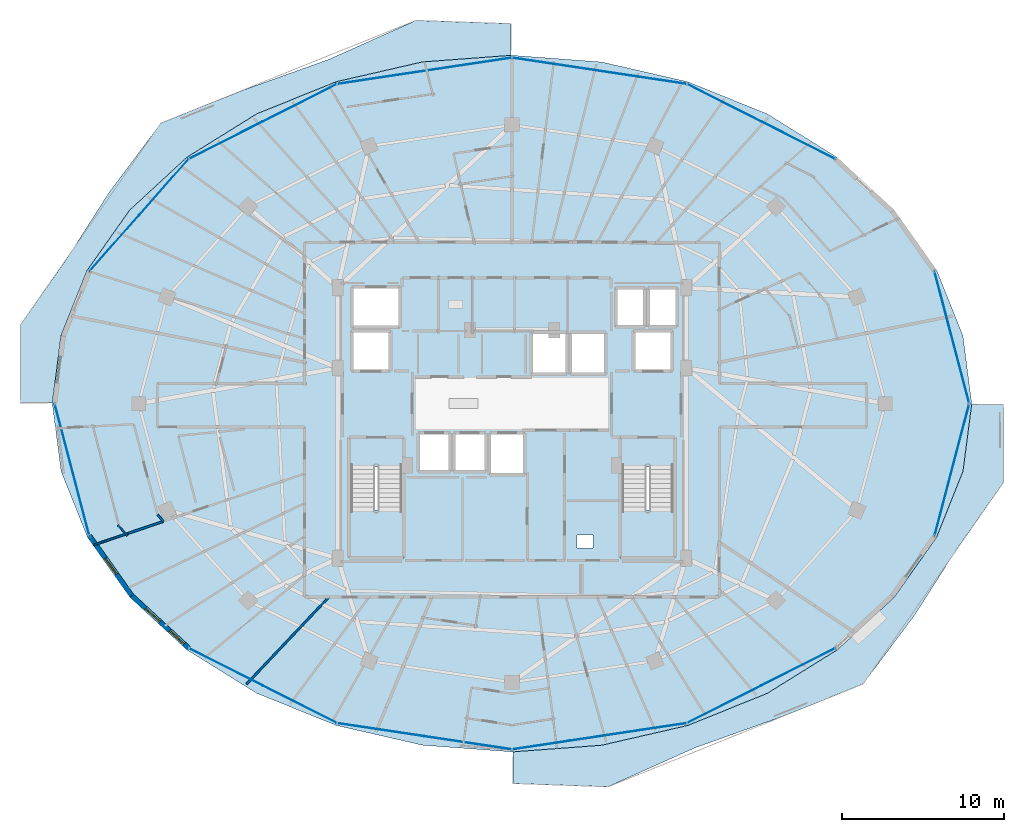
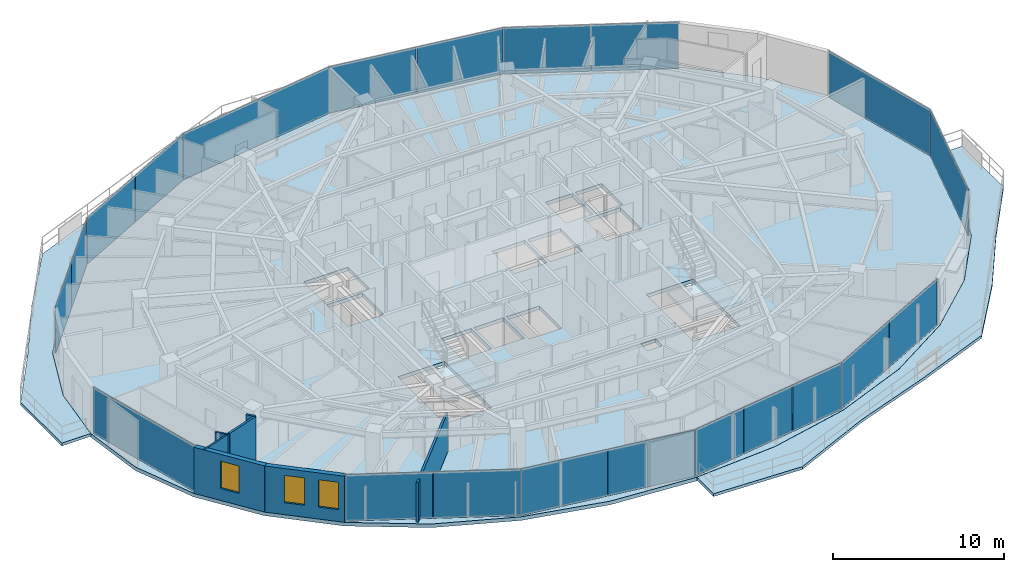
# One storey, part 23 of 34: 21 plates, 7 walls, 5 slabs, 3 windows, 3 openings, 6 elements without a shape of their own.
"""IFC4 building model written with IfcOpenShell, lengths in metres."""

from ifc_helpers import new_model, si_unit, direction, frame, frame_2d, origin, origin_2d, place, context, subcontext, project, spatial, polyline, rectangle, outline, extrude, material, layer, layer_set, type_object, element, fill, aggregate, save


model = new_model("IFC4")

# Units and contexts
model_context = context("Model", 3, precision=1e-05, world=origin(), true_north=direction((0.0, 1.0)))
body_context = subcontext(model_context, "Body", "Model", "MODEL_VIEW")
ifc_project = project(units=[si_unit("LENGTHUNIT", "METRE"), si_unit("AREAUNIT", "SQUARE_METRE"), si_unit("VOLUMEUNIT", "CUBIC_METRE"), si_unit("PLANEANGLEUNIT", "RADIAN"), si_unit("MASSUNIT", "GRAM", prefix="KILO")], contexts=[model_context])

# Site, building, storey
site_placement = place(None, origin())
site = spatial("IfcSite", under=ifc_project, at=site_placement, CompositionType="ELEMENT")
building_placement = place(site_placement, origin())
building = spatial("IfcBuilding", under=site, at=building_placement, Name="Vorneva Point Tower", CompositionType="ELEMENT")
storey_placement = place(building_placement, frame((0.0, 0.0, 214.300048828125)))
storey = spatial("IfcBuildingStorey", under=building, at=storey_placement, Name="L58", CompositionType="ELEMENT", Elevation=214.300048828125)

# Curtain wall, plates
ifc_material_1 = material(Name="Pale anodised aluminium", Category="aluminium")
curtain_wall_type = type_object("IfcCurtainWallType", Name="CW-RES-SYS", PredefinedType="NOTDEFINED", material=ifc_material_1)
curtain_wall_1_placement = place(storey_placement, origin())
curtain_wall_1 = element("IfcCurtainWall", 1, at=curtain_wall_1_placement, inside=storey, type_object=curtain_wall_type, Name="L58 Unitised Curtain Wall CW-L58-R01", PredefinedType="NOTDEFINED")
ifc_material_2 = material(Name="Double low-e laminated glass IGU", Category="glass")
ifc_layer_1 = layer(ifc_material_2, 0.035888671875)
ifc_layer_set_1 = layer_set([ifc_layer_1], Name="Double low-e laminated glass IGU")
plate_type = type_object("IfcPlateType", Name="CW-PNL-VIS", PredefinedType="CURTAIN_PANEL", material=ifc_layer_set_1)
plate_1_placement = place(storey_placement, frame((65.155517578125, 21.914794921875, -0.02001953125), z_axis=(0.0, 0.0, 1.0), x_axis=(0.254365646708, 0.967108121036, 0.0)))
plate_1 = element("IfcPlate", 2, at=plate_1_placement, type_object=plate_type, Name="CW-L58-R01 Glazed Panel 01", PredefinedType="CURTAIN_PANEL", context=body_context, shape_type="SweptSolid", body=[
    extrude(rectangle(XDim=8.398193359375, YDim=0.035888671875, at=origin_2d()), origin(), (0.0, 0.0, 1.0), 3.330078125),
])
plate_2_placement = place(storey_placement, frame((65.155517578125, 30.085205078125, -0.02001953125), z_axis=(0.0, 0.0, 1.0), x_axis=(-0.254365646708, 0.967108121036, 0.0)))
plate_2 = element("IfcPlate", 3, at=plate_2_placement, type_object=plate_type, Name="CW-L58-R01 Glazed Panel 02", PredefinedType="CURTAIN_PANEL", context=body_context, shape_type="SweptSolid", body=[
    extrude(rectangle(XDim=8.398193359375, YDim=0.035888671875, at=origin_2d()), origin(), (0.0, 0.0, 1.0), 3.330078125),
])
aggregate(curtain_wall_1, [plate_1, plate_2])

curtain_wall_2_placement = place(storey_placement, origin())
curtain_wall_2 = element("IfcCurtainWall", 4, at=curtain_wall_2_placement, inside=storey, type_object=curtain_wall_type, Name="L58 Unitised Curtain Wall CW-L58-R02", PredefinedType="NOTDEFINED")
plate_3_placement = place(storey_placement, frame((55.672119140625, 42.253662109375, -0.02001953125), z_axis=(0.0, 0.0, 1.0), x_axis=(-0.892514983762, 0.451017742179, 0.0)))
plate_3 = element("IfcPlate", 5, at=plate_3_placement, type_object=plate_type, Name="CW-L58-R02 Glazed Panel 01A", PredefinedType="CURTAIN_PANEL", context=body_context, shape_type="SweptSolid", body=[
    extrude(rectangle(XDim=5.080810546875, YDim=0.035888671875, at=origin_2d()), origin(), (0.0, 0.0, 1.0), 3.330078125),
])
plate_4_placement = place(storey_placement, frame((51.0927734375, 44.56787109375, -0.02001953125), z_axis=(0.0, 0.0, 1.0), x_axis=(-0.892514983762, 0.451017742179, 0.0)))
plate_4 = element("IfcPlate", 6, at=plate_4_placement, type_object=plate_type, Name="CW-L58-R02 Glazed Panel 01B", PredefinedType="CURTAIN_PANEL", context=body_context, shape_type="SweptSolid", body=[
    extrude(rectangle(XDim=5.080810546875, YDim=0.035888671875, at=origin_2d()), origin(), (0.0, 0.0, 1.0), 3.330078125),
])
plate_5_placement = place(storey_placement, frame((46.102294921875, 46.131103515625, -0.02001953125), z_axis=(0.0, 0.0, 1.0), x_axis=(-0.988873520862, 0.148758729957, 0.0)))
plate_5 = element("IfcPlate", 7, at=plate_5_placement, type_object=plate_type, Name="CW-L58-R02 Glazed Panel 02A", PredefinedType="CURTAIN_PANEL", context=body_context, shape_type="SweptSolid", body=[
    extrude(rectangle(XDim=5.412353515625, YDim=0.035888671875, at=origin_2d()), origin(), (0.0, 0.0, 1.0), 3.330078125),
])
plate_6_placement = place(storey_placement, frame((40.70068359375, 46.943603515625, -0.02001953125), z_axis=(0.0, 0.0, 1.0), x_axis=(-0.988873520862, 0.148758729957, 0.0)))
plate_6 = element("IfcPlate", 8, at=plate_6_placement, type_object=plate_type, Name="CW-L58-R02 Glazed Panel 02B", PredefinedType="CURTAIN_PANEL", context=body_context, shape_type="SweptSolid", body=[
    extrude(rectangle(XDim=5.412353515625, YDim=0.035888671875, at=origin_2d()), origin(), (0.0, 0.0, 1.0), 3.330078125),
])
plate_7_placement = place(storey_placement, frame((32.598388671875, 46.537353515625, -0.02001953125), z_axis=(0.0, 0.0, 1.0), x_axis=(-0.988873520862, -0.148758729957, 0.0)))
plate_7 = element("IfcPlate", 9, at=plate_7_placement, type_object=plate_type, Name="CW-L58-R02 Glazed Panel 03", PredefinedType="CURTAIN_PANEL", context=body_context, shape_type="SweptSolid", body=[
    extrude(rectangle(XDim=10.874755859375, YDim=0.035888671875, at=origin_2d()), origin(), (0.0, 0.0, 1.0), 3.330078125),
])
plate_8_placement = place(storey_placement, frame((24.9072265625, 44.56787109375, -0.02001953125), z_axis=(0.0, 0.0, 1.0), x_axis=(-0.892514983762, -0.451017742179, 0.0)))
plate_8 = element("IfcPlate", 10, at=plate_8_placement, type_object=plate_type, Name="CW-L58-R02 Glazed Panel 04A", PredefinedType="CURTAIN_PANEL", context=body_context, shape_type="SweptSolid", body=[
    extrude(rectangle(XDim=5.080810546875, YDim=0.035888671875, at=origin_2d()), origin(), (0.0, 0.0, 1.0), 3.330078125),
])
plate_9_placement = place(storey_placement, frame((20.327880859375, 42.253662109375, -0.02001953125), z_axis=(0.0, 0.0, 1.0), x_axis=(-0.892514983762, -0.451017742179, 0.0)))
plate_9 = element("IfcPlate", 11, at=plate_9_placement, type_object=plate_type, Name="CW-L58-R02 Glazed Panel 04B", PredefinedType="CURTAIN_PANEL", context=body_context, shape_type="SweptSolid", body=[
    extrude(rectangle(XDim=5.080810546875, YDim=0.035888671875, at=origin_2d()), origin(), (0.0, 0.0, 1.0), 3.330078125),
])
plate_10_placement = place(storey_placement, frame((16.508544921875, 39.364990234375, -0.02001953125), z_axis=(0.0, 0.0, 1.0), x_axis=(-0.662110096764, -0.74940657841, 0.0)))
plate_10 = element("IfcPlate", 12, at=plate_10_placement, type_object=plate_type, Name="CW-L58-R02 Glazed Panel 05A", PredefinedType="CURTAIN_PANEL", context=body_context, shape_type="SweptSolid", body=[
    extrude(rectangle(XDim=4.5712890625, YDim=0.035888671875, at=origin_2d()), origin(), (0.0, 0.0, 1.0), 3.330078125),
])
plate_11_placement = place(storey_placement, frame((13.44873046875, 35.90185546875, -0.02001953125), z_axis=(0.0, 0.0, 1.0), x_axis=(-0.662110096764, -0.74940657841, 0.0)))
plate_11 = element("IfcPlate", 13, at=plate_11_placement, type_object=plate_type, Name="CW-L58-R02 Glazed Panel 05B", PredefinedType="CURTAIN_PANEL", context=body_context, shape_type="SweptSolid", body=[
    extrude(rectangle(XDim=4.5712890625, YDim=0.035888671875, at=origin_2d()), origin(), (0.0, 0.0, 1.0), 3.330078125),
])
aggregate(curtain_wall_2, [plate_3, plate_4, plate_5, plate_6, plate_7, plate_8, plate_9, plate_10, plate_11])

# Curtain wall, plate
curtain_wall_3_placement = place(storey_placement, origin())
curtain_wall_3 = element("IfcCurtainWall", 14, at=curtain_wall_3_placement, inside=storey, type_object=curtain_wall_type, Name="L58 Unitised Curtain Wall CW-L58-R03", PredefinedType="NOTDEFINED")
plate_12_placement = place(storey_placement, frame((10.844482421875, 21.914794921875, -0.02001953125), z_axis=(0.0, 0.0, 1.0), x_axis=(0.254365646708, -0.967108121036, 0.0)))
plate_12 = element("IfcPlate", 15, at=plate_12_placement, type_object=plate_type, Name="CW-L58-R03 Glazed Panel 01", PredefinedType="CURTAIN_PANEL", context=body_context, shape_type="SweptSolid", body=[
    extrude(rectangle(XDim=8.398193359375, YDim=0.035888671875, at=origin_2d()), origin(), (0.0, 0.0, 1.0), 3.330078125),
])
aggregate(curtain_wall_3, [plate_12])

# Curtain wall, plates
curtain_wall_4_placement = place(storey_placement, origin())
curtain_wall_4 = element("IfcCurtainWall", 16, at=curtain_wall_4_placement, inside=storey, type_object=curtain_wall_type, Name="L58 Unitised Curtain Wall CW-L58-R04", PredefinedType="NOTDEFINED")
plate_13_placement = place(storey_placement, frame((20.327880859375, 9.746337890625, -0.02001953125), z_axis=(0.0, 0.0, 1.0), x_axis=(0.892514983762, -0.451017742179, 0.0)))
plate_13 = element("IfcPlate", 17, at=plate_13_placement, type_object=plate_type, Name="CW-L58-R04 Glazed Panel 01A", PredefinedType="CURTAIN_PANEL", context=body_context, shape_type="SweptSolid", body=[
    extrude(rectangle(XDim=5.080810546875, YDim=0.035888671875, at=origin_2d()), origin(), (0.0, 0.0, 1.0), 3.330078125),
])
plate_14_placement = place(storey_placement, frame((24.9072265625, 7.43212890625, -0.02001953125), z_axis=(0.0, 0.0, 1.0), x_axis=(0.892514983762, -0.451017742179, 0.0)))
plate_14 = element("IfcPlate", 18, at=plate_14_placement, type_object=plate_type, Name="CW-L58-R04 Glazed Panel 01B", PredefinedType="CURTAIN_PANEL", context=body_context, shape_type="SweptSolid", body=[
    extrude(rectangle(XDim=5.080810546875, YDim=0.035888671875, at=origin_2d()), origin(), (0.0, 0.0, 1.0), 3.330078125),
])
plate_15_placement = place(storey_placement, frame((29.897705078125, 5.868896484375, -0.02001953125), z_axis=(0.0, 0.0, 1.0), x_axis=(0.988873520862, -0.148758729957, 0.0)))
plate_15 = element("IfcPlate", 19, at=plate_15_placement, type_object=plate_type, Name="CW-L58-R04 Glazed Panel 02A", PredefinedType="CURTAIN_PANEL", context=body_context, shape_type="SweptSolid", body=[
    extrude(rectangle(XDim=5.412353515625, YDim=0.035888671875, at=origin_2d()), origin(), (0.0, 0.0, 1.0), 3.330078125),
])
plate_16_placement = place(storey_placement, frame((35.29931640625, 5.056396484375, -0.02001953125), z_axis=(0.0, 0.0, 1.0), x_axis=(0.988873520862, -0.148758729957, 0.0)))
plate_16 = element("IfcPlate", 20, at=plate_16_placement, type_object=plate_type, Name="CW-L58-R04 Glazed Panel 02B", PredefinedType="CURTAIN_PANEL", context=body_context, shape_type="SweptSolid", body=[
    extrude(rectangle(XDim=5.412353515625, YDim=0.035888671875, at=origin_2d()), origin(), (0.0, 0.0, 1.0), 3.330078125),
])
plate_17_placement = place(storey_placement, frame((39.800537109375, 4.9208984375, -0.02001953125), z_axis=(0.0, 0.0, 1.0), x_axis=(0.988873520862, 0.148758729957, 0.0)))
plate_17 = element("IfcPlate", 21, at=plate_17_placement, type_object=plate_type, Name="CW-L58-R04 Glazed Panel 03A", PredefinedType="CURTAIN_PANEL", context=body_context, shape_type="SweptSolid", body=[
    extrude(rectangle(XDim=3.591552734375, YDim=0.035888671875, at=origin_2d()), origin(), (0.0, 0.0, 1.0), 3.330078125),
])
plate_18_placement = place(storey_placement, frame((43.401611328125, 5.462646484375, -0.02001953125), z_axis=(0.0, 0.0, 1.0), x_axis=(0.988873520862, 0.148758729957, 0.0)))
plate_18 = element("IfcPlate", 22, at=plate_18_placement, type_object=plate_type, Name="CW-L58-R04 Glazed Panel 03B", PredefinedType="CURTAIN_PANEL", context=body_context, shape_type="SweptSolid", body=[
    extrude(rectangle(XDim=3.591552734375, YDim=0.035888671875, at=origin_2d()), origin(), (0.0, 0.0, 1.0), 3.330078125),
])
plate_19_placement = place(storey_placement, frame((47.002685546875, 6.00439453125, -0.02001953125), z_axis=(0.0, 0.0, 1.0), x_axis=(0.988873520862, 0.148758729957, 0.0)))
plate_19 = element("IfcPlate", 23, at=plate_19_placement, type_object=plate_type, Name="CW-L58-R04 Glazed Panel 03C", PredefinedType="CURTAIN_PANEL", context=body_context, shape_type="SweptSolid", body=[
    extrude(rectangle(XDim=3.591552734375, YDim=0.035888671875, at=origin_2d()), origin(), (0.0, 0.0, 1.0), 3.330078125),
])
plate_20_placement = place(storey_placement, frame((51.0927734375, 7.43212890625, -0.02001953125), z_axis=(0.0, 0.0, 1.0), x_axis=(0.892514983762, 0.451017742179, 0.0)))
plate_20 = element("IfcPlate", 24, at=plate_20_placement, type_object=plate_type, Name="CW-L58-R04 Glazed Panel 04A", PredefinedType="CURTAIN_PANEL", context=body_context, shape_type="SweptSolid", body=[
    extrude(rectangle(XDim=5.080810546875, YDim=0.035888671875, at=origin_2d()), origin(), (0.0, 0.0, 1.0), 3.330078125),
])
plate_21_placement = place(storey_placement, frame((55.672119140625, 9.746337890625, -0.02001953125), z_axis=(0.0, 0.0, 1.0), x_axis=(0.892514983762, 0.451017742179, 0.0)))
plate_21 = element("IfcPlate", 25, at=plate_21_placement, type_object=plate_type, Name="CW-L58-R04 Glazed Panel 04B", PredefinedType="CURTAIN_PANEL", context=body_context, shape_type="SweptSolid", body=[
    extrude(rectangle(XDim=5.080810546875, YDim=0.035888671875, at=origin_2d()), origin(), (0.0, 0.0, 1.0), 3.330078125),
])
aggregate(curtain_wall_4, [plate_13, plate_14, plate_15, plate_16, plate_17, plate_18, plate_19, plate_20, plate_21])

# Slabs
ifc_material_3 = material(Name="Concrete B50 (C40/50)", Category="concrete")
ifc_layer_2 = layer(ifc_material_3, 0.199951171875)
ifc_layer_set_2 = layer_set([ifc_layer_2], Name="Concrete B50 (C40/50)")
slab_type_1 = type_object("IfcSlabType", Name="SLB-BAL-200", PredefinedType="FLOOR", material=ifc_layer_set_2)
slab_1_placement = place(storey_placement, frame((0.0, 0.0, -0.199951171875)))
element("IfcSlab", 26, at=slab_1_placement, inside=storey, type_object=slab_type_1, Name="L58 Cantilevered Wave Balcony NW", PredefinedType="FLOOR", context=body_context, shape_type="SweptSolid", body=[
    extrude(outline(polyline([(7.669921875, 26.050048828125), (9.62255859375, 26.050048828125), (10.161376953125, 30.19482421875), (10.161376953125, 30.1953125), (10.16162109375, 30.195556640625), (10.16162109375, 30.19580078125), (11.776611328125, 34.229248046875), (11.77685546875, 34.2294921875), (11.777099609375, 34.22998046875), (14.399658203125, 37.947021484375), (14.39990234375, 37.947509765625), (14.400146484375, 37.94775390625), (17.9296875, 41.205810546875), (17.929931640625, 41.2060546875), (17.93017578125, 41.206298828125), (22.230712890625, 43.8798828125), (22.231201171875, 43.880126953125), (22.2314453125, 43.88037109375), (27.137939453125, 45.8671875), (27.13818359375, 45.8671875), (27.138427734375, 45.8671875), (32.46240234375, 47.0908203125), (32.462646484375, 47.0908203125), (32.462890625, 47.0908203125), (37.949951171875, 47.500244140625), (37.949951171875, 49.45166015625), (32.076416015625, 49.654541015625), (26.703857421875, 47.251708984375), (21.47314453125, 45.37744140625), (16.33203125, 43.315185546875), (13.141357421875, 39.057373046875), (10.503662109375, 34.92578125), (7.65380859375, 30.85400390625), (7.669921875, 26.050048828125)])), origin(), (0.0, 0.0, 1.0), 0.199951171875),
])
slab_2_placement = place(storey_placement, frame((0.0, 0.0, -0.199951171875)))
element("IfcSlab", 27, at=slab_2_placement, inside=storey, type_object=slab_type_1, Name="L58 Cantilevered Wave Balcony SE", PredefinedType="FLOOR", context=body_context, shape_type="SweptSolid", body=[
    extrude(outline(polyline([(68.34619140625, 21.14599609375), (68.330078125, 25.949951171875), (66.37744140625, 25.949951171875), (65.838623046875, 21.80517578125), (65.838623046875, 21.8046875), (65.83837890625, 21.804443359375), (65.83837890625, 21.80419921875), (64.223388671875, 17.770751953125), (64.22314453125, 17.7705078125), (64.222900390625, 17.77001953125), (61.600341796875, 14.052978515625), (61.60009765625, 14.052490234375), (61.599853515625, 14.05224609375), (58.0703125, 10.794189453125), (58.070068359375, 10.7939453125), (58.06982421875, 10.793701171875), (53.769287109375, 8.1201171875), (53.768798828125, 8.119873046875), (53.7685546875, 8.11962890625), (48.862060546875, 6.1328125), (48.86181640625, 6.1328125), (48.861572265625, 6.1328125), (43.53759765625, 4.9091796875), (43.537353515625, 4.9091796875), (43.537109375, 4.9091796875), (38.050048828125, 4.499755859375), (38.050048828125, 2.54833984375), (43.923583984375, 2.345458984375), (49.296142578125, 4.748291015625), (54.52685546875, 6.62255859375), (59.66796875, 8.684814453125), (62.858642578125, 12.942626953125), (65.496337890625, 17.07421875), (68.34619140625, 21.14599609375)])), origin(), (0.0, 0.0, 1.0), 0.199951171875),
])

# Stair, slab
stair_type = type_object("IfcStairType", Name="ST-DOG-1500", PredefinedType="HALF_TURN_STAIR", material=ifc_material_3)
stair_1_placement = place(storey_placement, origin())
stair_1 = element("IfcStair", 28, at=stair_1_placement, inside=storey, type_object=stair_type, Name="L58 ST1", PredefinedType="HALF_TURN_STAIR")
ifc_layer_3 = layer(ifc_material_3, 0.199951171875)
ifc_layer_set_3 = layer_set([ifc_layer_3], Name="Concrete B50 (C40/50)")
slab_type_2 = type_object("IfcSlabType", Name="SLB-LND-200", PredefinedType="LANDING", material=ifc_layer_set_3)
slab_3_placement = place(storey_placement, frame((0.0, 0.0, 1.574951171875)))
slab_3 = element("IfcSlab", 29, at=slab_3_placement, type_object=slab_type_2, Name="ST1 landing 1", PredefinedType="LANDING", context=body_context, shape_type="SweptSolid", body=[
    extrude(outline(polyline([(27.929931640625, 16.47998046875), (31.320068359375, 16.47998046875), (31.320068359375, 19.43994140625), (27.929931640625, 19.43994140625), (27.929931640625, 16.47998046875)])), origin(), (0.0, 0.0, 1.0), 0.199951171875),
])
aggregate(stair_1, [slab_3])

stair_2_placement = place(storey_placement, origin())
stair_2 = element("IfcStair", 30, at=stair_2_placement, inside=storey, type_object=stair_type, Name="L58 ST2", PredefinedType="HALF_TURN_STAIR")
slab_4_placement = place(storey_placement, frame((0.0, 0.0, 1.574951171875)))
slab_4 = element("IfcSlab", 31, at=slab_4_placement, type_object=slab_type_2, Name="ST2 landing 1", PredefinedType="LANDING", context=body_context, shape_type="SweptSolid", body=[
    extrude(outline(polyline([(44.679931640625, 16.47998046875), (48.070068359375, 16.47998046875), (48.070068359375, 19.43994140625), (44.679931640625, 19.43994140625), (44.679931640625, 16.47998046875)])), origin(), (0.0, 0.0, 1.0), 0.199951171875),
])
aggregate(stair_2, [slab_4])

# Slab
ifc_layer_4 = layer(ifc_material_3, 0.260009765625)
ifc_layer_set_4 = layer_set([ifc_layer_4], Name="Concrete B50 (C40/50)")
slab_type_3 = type_object("IfcSlabType", Name="SLB-TYP-260", PredefinedType="FLOOR", material=ifc_layer_set_4)
slab_5_placement = place(storey_placement, frame((0.0, 0.0, -0.260009765625)))
element("IfcSlab", 32, at=slab_5_placement, inside=storey, type_object=slab_type_3, Name="L58 Structural Floor Plate", PredefinedType="FLOOR", context=body_context, shape_type="SweptSolid", body=[
    extrude(outline(polyline([(66.3798828125, 26.0), (65.834716796875, 30.1943359375), (64.2197265625, 34.227783203125), (61.59716796875, 37.94482421875), (58.067626953125, 41.202880859375), (53.76708984375, 43.876708984375), (48.860595703125, 45.86328125), (43.53662109375, 47.0869140625), (38.0, 47.5), (32.46337890625, 47.0869140625), (27.139404296875, 45.86328125), (22.23291015625, 43.876708984375), (17.932373046875, 41.202880859375), (14.40283203125, 37.94482421875), (11.7802734375, 34.227783203125), (10.165283203125, 30.1943359375), (9.6201171875, 26.0), (10.165283203125, 21.8056640625), (11.7802734375, 17.772216796875), (14.40283203125, 14.05517578125), (17.932373046875, 10.797119140625), (22.23291015625, 8.123291015625), (27.139404296875, 6.13671875), (32.46337890625, 4.9130859375), (38.0, 4.5), (43.53662109375, 4.9130859375), (48.860595703125, 6.13671875), (53.76708984375, 8.123291015625), (58.067626953125, 10.797119140625), (61.59716796875, 14.05517578125), (64.2197265625, 17.772216796875), (65.834716796875, 21.8056640625), (66.3798828125, 26.0)]), holes=[polyline([(32.199951171875, 21.800048828125), (34.199951171875, 21.800048828125), (34.199951171875, 24.199951171875), (32.199951171875, 24.199951171875), (32.199951171875, 21.800048828125)]), polyline([(34.39990234375, 21.800048828125), (36.39990234375, 21.800048828125), (36.39990234375, 24.199951171875), (34.39990234375, 24.199951171875), (34.39990234375, 21.800048828125)]), polyline([(36.60009765625, 21.60009765625), (38.800048828125, 21.60009765625), (38.800048828125, 24.199951171875), (36.60009765625, 24.199951171875), (36.60009765625, 21.60009765625)]), polyline([(39.199951171875, 27.800048828125), (41.39990234375, 27.800048828125), (41.39990234375, 30.39990234375), (39.199951171875, 30.39990234375), (39.199951171875, 27.800048828125)]), polyline([(41.60009765625, 27.800048828125), (43.800048828125, 27.800048828125), (43.800048828125, 30.39990234375), (41.60009765625, 30.39990234375), (41.60009765625, 27.800048828125)]), polyline([(44.39990234375, 30.739990234375), (46.199951171875, 30.739990234375), (46.199951171875, 33.159912109375), (44.39990234375, 33.159912109375), (44.39990234375, 30.739990234375)]), polyline([(46.39990234375, 30.739990234375), (48.199951171875, 30.739990234375), (48.199951171875, 33.159912109375), (46.39990234375, 33.159912109375), (46.39990234375, 30.739990234375)]), polyline([(28.10009765625, 28.0), (30.5, 28.0), (30.5, 30.5), (28.10009765625, 30.5), (28.10009765625, 28.0)]), polyline([(45.5, 28.0), (47.89990234375, 28.0), (47.89990234375, 30.5), (45.5, 30.5), (45.5, 28.0)]), polyline([(28.10009765625, 30.699951171875), (31.10009765625, 30.699951171875), (31.10009765625, 33.199951171875), (28.10009765625, 33.199951171875), (28.10009765625, 30.699951171875)]), polyline([(28.050048828125, 16.60009765625), (31.199951171875, 16.60009765625), (31.199951171875, 22.080078125), (28.050048828125, 22.080078125), (28.050048828125, 16.60009765625)]), polyline([(44.800048828125, 16.60009765625), (47.949951171875, 16.60009765625), (47.949951171875, 22.080078125), (44.800048828125, 22.080078125), (44.800048828125, 16.60009765625)]), polyline([(42.0, 17.10009765625), (43.0, 17.10009765625), (43.0, 17.89990234375), (42.0, 17.89990234375), (42.0, 17.10009765625)])]), origin(), (0.0, 0.0, 1.0), 0.260009765625),
])

# Wall, opening, window
ifc_material_4 = material(Name="Precast concrete B50 (C40/50)", Category="concrete")
ifc_layer_5 = layer(ifc_material_4, 0.300048828125)
ifc_layer_set_5 = layer_set([ifc_layer_5], Name="Precast concrete B50 (C40/50)")
wall_type_1 = type_object("IfcWallType", Name="WL-EXT-300", PredefinedType="STANDARD", material=ifc_layer_set_5)
wall_1_placement = place(storey_placement, frame((11.9189453125, 17.82958984375, 0.0), z_axis=(0.0, 0.0, 1.0), x_axis=(0.577168747264, -0.81662490605, 0.0)))
wall_1 = element("IfcWall", 33, at=wall_1_placement, inside=storey, type_object=wall_type_1, Name="L58 Pale-Metal Facade Spandrel Wall 10.1", PredefinedType="STANDARD", context=body_context, shape_type="SweptSolid", body=[
    extrude(rectangle(XDim=4.519775390625, YDim=0.300048828125, at=frame_2d((2.259765625, 0.0))), origin(), (0.0, 0.0, 1.0), 3.2900390625),
])
opening_1_placement = place(wall_1_placement, frame((1.689697265625, 0.0, 0.85009765625)))
opening_1 = element("IfcOpeningElement", 34, at=opening_1_placement, cuts=wall_1, Name="Opening W-04", PredefinedType="OPENING", context=body_context, shape_type="SweptSolid", body=[
    extrude(rectangle(XDim=1.199951171875, YDim=1.949951171875, at=frame_2d((0.60009765625, 0.97509765625))), frame((0.0, 0.1650390625, 0.0), z_axis=(0.0, -1.0, 0.0), x_axis=(1.0, 0.0, 0.0)), (0.0, 0.0, 1.0), 0.329833984375),
])
window_type = type_object("IfcWindowType", Name="WN-RES-1200", PartitioningType="SINGLE_PANEL", PredefinedType="WINDOW", material=ifc_material_2)
window_1_placement = place(opening_1_placement, origin())
window_1 = element("IfcWindow", 35, at=window_1_placement, inside=storey, type_object=window_type, Name="L58 Dwelling Vision Window 02", OverallHeight=1.949951171875, OverallWidth=1.199951171875, PartitioningType="SINGLE_PANEL", PredefinedType="WINDOW", context=body_context, shape_type="SweptSolid", body=[
    extrude(rectangle(XDim=1.199951171875, YDim=1.949951171875, at=frame_2d((0.60009765625, 0.97509765625))), frame((0.0, 0.030029296875, 0.0), z_axis=(0.0, -1.0, 0.0), x_axis=(1.0, 0.0, 0.0)), (0.0, 0.0, 1.0), 0.06005859375),
])
fill(opening_1, window_1)

# Wall, openings, windows
wall_2_placement = place(storey_placement, frame((14.527587890625, 14.138671875, 0.0), z_axis=(0.0, 0.0, 1.0), x_axis=(0.735359993374, -0.677676678177, 0.0)))
wall_2 = element("IfcWall", 36, at=wall_2_placement, inside=storey, type_object=wall_type_1, Name="L58 Pale-Metal Facade Spandrel Wall 10.2", PredefinedType="STANDARD", context=body_context, shape_type="SweptSolid", body=[
    extrude(rectangle(XDim=4.774169921875, YDim=0.300048828125, at=frame_2d((2.38720703125, 0.0))), origin(), (0.0, 0.0, 1.0), 3.2900390625),
])
opening_2_placement = place(wall_2_placement, frame((1.158203125, 0.0, 0.85009765625)))
opening_2 = element("IfcOpeningElement", 37, at=opening_2_placement, cuts=wall_2, Name="Opening W-04", PredefinedType="OPENING", context=body_context, shape_type="SweptSolid", body=[
    extrude(rectangle(XDim=1.199951171875, YDim=1.949951171875, at=frame_2d((0.60009765625, 0.97509765625))), frame((0.0, 0.1650390625, 0.0), z_axis=(0.0, -1.0, 0.0), x_axis=(1.0, 0.0, 0.0)), (0.0, 0.0, 1.0), 0.329833984375),
])
opening_3_placement = place(wall_2_placement, frame((3.194580078125, 0.0, 0.85009765625)))
opening_3 = element("IfcOpeningElement", 38, at=opening_3_placement, cuts=wall_2, Name="Opening W-04", PredefinedType="OPENING", context=body_context, shape_type="SweptSolid", body=[
    extrude(rectangle(XDim=1.199951171875, YDim=1.949951171875, at=frame_2d((0.60009765625, 0.97509765625))), frame((0.0, 0.1650390625, 0.0), z_axis=(0.0, -1.0, 0.0), x_axis=(1.0, 0.0, 0.0)), (0.0, 0.0, 1.0), 0.329833984375),
])
window_2_placement = place(opening_2_placement, origin())
window_2 = element("IfcWindow", 39, at=window_2_placement, inside=storey, type_object=window_type, Name="L58 Dwelling Vision Window 03", OverallHeight=1.949951171875, OverallWidth=1.199951171875, PartitioningType="SINGLE_PANEL", PredefinedType="WINDOW", context=body_context, shape_type="SweptSolid", body=[
    extrude(rectangle(XDim=1.199951171875, YDim=1.949951171875, at=frame_2d((0.60009765625, 0.97509765625))), frame((0.0, 0.030029296875, 0.0), z_axis=(0.0, -1.0, 0.0), x_axis=(1.0, 0.0, 0.0)), (0.0, 0.0, 1.0), 0.06005859375),
])
fill(opening_2, window_2)
window_3_placement = place(opening_3_placement, origin())
window_3 = element("IfcWindow", 40, at=window_3_placement, inside=storey, type_object=window_type, Name="L58 Dwelling Vision Window 04", OverallHeight=1.949951171875, OverallWidth=1.199951171875, PartitioningType="SINGLE_PANEL", PredefinedType="WINDOW", context=body_context, shape_type="SweptSolid", body=[
    extrude(rectangle(XDim=1.199951171875, YDim=1.949951171875, at=frame_2d((0.60009765625, 0.97509765625))), frame((0.0, 0.030029296875, 0.0), z_axis=(0.0, -1.0, 0.0), x_axis=(1.0, 0.0, 0.0)), (0.0, 0.0, 1.0), 0.06005859375),
])
fill(opening_3, window_3)

# Walls
ifc_material_5 = material(Name="Fire-rated acoustic gypsum stud partition", Category="gypsum")
ifc_layer_6 = layer(ifc_material_5, 0.110107421875)
ifc_layer_set_6 = layer_set([ifc_layer_6], Name="Fire-rated acoustic gypsum stud partition")
wall_type_2 = type_object("IfcWallType", Name="WL-PART-110", PredefinedType="PARTITIONING", material=ifc_layer_set_6)
wall_3_placement = place(storey_placement, frame((14.2587890625, 17.839111328125, 0.0), z_axis=(0.0, 0.0, 1.0), x_axis=(-0.662791157339, 0.748804301372, 0.0)))
element("IfcWall", 41, at=wall_3_placement, inside=storey, type_object=wall_type_2, Name="L58 Interior Partition 139", PredefinedType="PARTITIONING", context=body_context, shape_type="SweptSolid", body=[
    extrude(rectangle(XDim=0.89697265625, YDim=0.110107421875, at=frame_2d((0.448486328125, 0.0))), origin(), (0.0, 0.0, 1.0), 3.2900390625),
])
wall_4_placement = place(storey_placement, frame((12.157470703125, 17.26513671875, 0.0), z_axis=(0.0, 0.0, 1.0), x_axis=(0.947357185378, 0.320178642812, 0.0)))
element("IfcWall", 42, at=wall_4_placement, inside=storey, type_object=wall_type_2, Name="L58 Interior Partition 141", PredefinedType="PARTITIONING", context=body_context, shape_type="SweptSolid", body=[
    extrude(rectangle(XDim=2.260009765625, YDim=0.110107421875, at=frame_2d((1.1298828125, 0.0))), origin(), (0.0, 0.0, 1.0), 3.2900390625),
])
ifc_layer_7 = layer(ifc_material_5, 0.139892578125)
ifc_layer_set_7 = layer_set([ifc_layer_7], Name="Fire-rated acoustic gypsum stud partition")
wall_type_3 = type_object("IfcWallType", Name="WL-PART-140", PredefinedType="PARTITIONING", material=ifc_layer_set_7)
wall_5_placement = place(storey_placement, frame((16.123046875, 19.14697265625, 0.0), z_axis=(0.0, 0.0, 1.0), x_axis=(0.661607116759, -0.749850667169, 0.0)))
element("IfcWall", 43, at=wall_5_placement, inside=storey, type_object=wall_type_3, Name="L58 Interior Partition 136", PredefinedType="PARTITIONING", context=body_context, shape_type="SweptSolid", body=[
    extrude(rectangle(XDim=0.55615234375, YDim=0.139892578125, at=frame_2d((0.278076171875, 0.0))), origin(), (0.0, 0.0, 1.0), 3.2900390625),
])
wall_6_placement = place(storey_placement, frame((16.490966796875, 18.72998046875, 0.0), z_axis=(0.0, 0.0, 1.0), x_axis=(-0.94734184591, -0.320224026251, 0.0)))
element("IfcWall", 44, at=wall_6_placement, inside=storey, type_object=wall_type_3, Name="L58 Interior Partition 137", PredefinedType="PARTITIONING", context=body_context, shape_type="SweptSolid", body=[
    extrude(rectangle(XDim=2.4541015625, YDim=0.139892578125, at=frame_2d((1.22705078125, 0.0))), origin(), (0.0, 0.0, 1.0), 3.2900390625),
])
wall_7_placement = place(storey_placement, frame((21.613037109375, 8.68603515625, 0.0), z_axis=(0.0, 0.0, 1.0), x_axis=(0.68740257318, 0.726276601844, 0.0)))
element("IfcWall", 45, at=wall_7_placement, inside=storey, type_object=wall_type_3, Name="L58 Interior Partition 145", PredefinedType="PARTITIONING", context=body_context, shape_type="SweptSolid", body=[
    extrude(rectangle(XDim=7.3857421875, YDim=0.139892578125, at=frame_2d((3.69287109375, 0.0))), origin(), (0.0, 0.0, 1.0), 2.823974609375),
])

save(model, "model.ifc")
